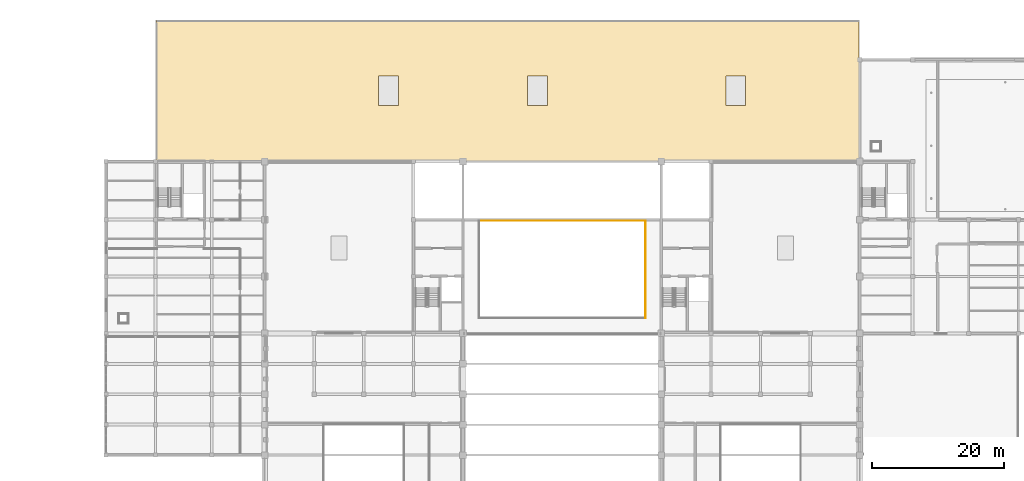
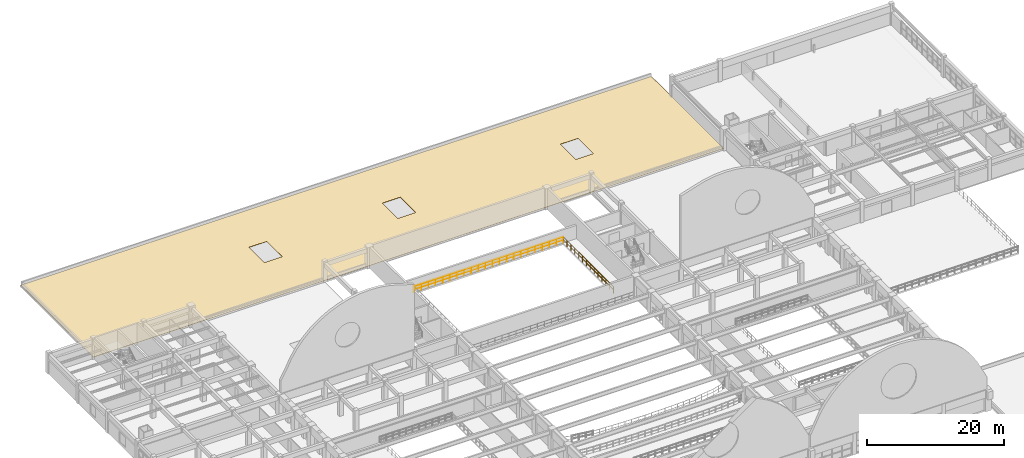
# One storey, part 71 of 74: 2 railings, 1 covering.
"""IFC4 building model written with IfcOpenShell, lengths in metres."""

from ifc_helpers import new_model, si_unit, direction, frame, origin, origin_2d, place, context, subcontext, project, spatial, polyline, circle, outline, extrude, material, layer, layer_set, type_object, element, save


model = new_model("IFC4")

# Units and contexts
model_context = context("Model", 3, precision=1e-05, world=origin(), true_north=direction((0.0, 1.0)))
body_context = subcontext(model_context, "Body", "Model", "MODEL_VIEW")
ifc_project = project(units=[si_unit("LENGTHUNIT", "METRE"), si_unit("AREAUNIT", "SQUARE_METRE"), si_unit("VOLUMEUNIT", "CUBIC_METRE"), si_unit("PLANEANGLEUNIT", "RADIAN"), si_unit("MASSUNIT", "GRAM", prefix="KILO")], contexts=[model_context])

# Site, building, storey
site_placement = place(None, origin())
site = spatial("IfcSite", under=ifc_project, at=site_placement, CompositionType="ELEMENT")
building_placement = place(site_placement, origin())
building = spatial("IfcBuilding", under=site, at=building_placement, Name="Muzn Square Opera House", CompositionType="ELEMENT")
storey_placement = place(building_placement, frame((0.0, 0.0, 14.199951171875)))
storey = spatial("IfcBuildingStorey", under=building, at=storey_placement, Name="L03", CompositionType="ELEMENT", Elevation=14.199951171875)

# Railings
ifc_material_1 = material(Name="Architectural bronze mashrabiya", Category="metal")
railing_type = type_object("IfcRailingType", Name="Bronze Protective Balustrade 1120mm", PredefinedType="BALUSTRADE", material=ifc_material_1)
railing_1_placement = place(storey_placement, frame((100.580078125, 74.919921875, 0.0)))
element("IfcRailing", 1, at=railing_1_placement, inside=storey, type_object=railing_type, Name="Void Edge Balustrade L03-0056", PredefinedType="BALUSTRADE", context=body_context, shape_type="SweptSolid", body=[
    extrude(circle(Radius=0.02392578125, at=origin_2d()), frame((0.0, 0.0, 1.09619140625), z_axis=(0.0, 1.0, 0.0), x_axis=(-1.0, 0.0, 0.0)), (0.0, 0.0, 1.0), 14.7099609375),
    extrude(circle(Radius=0.02392578125, at=origin_2d()), frame((0.0, 0.0, 0.56005859375), z_axis=(0.0, 1.0, 0.0), x_axis=(-1.0, 0.0, 0.0)), (0.0, 0.0, 1.0), 14.7099609375),
    extrude(circle(Radius=0.02099609375, at=origin_2d()), origin(), (0.0, 0.0, 1.0), 1.072021484375),
    extrude(circle(Radius=0.02099609375, at=origin_2d()), frame((0.0, 1.131591796875, 0.0)), (0.0, 0.0, 1.0), 1.072021484375),
    extrude(circle(Radius=0.02099609375, at=origin_2d()), frame((0.0, 2.26318359375, 0.0)), (0.0, 0.0, 1.0), 1.072021484375),
    extrude(circle(Radius=0.02099609375, at=origin_2d()), frame((0.0, 3.39453125, 0.0)), (0.0, 0.0, 1.0), 1.072021484375),
    extrude(circle(Radius=0.02099609375, at=origin_2d()), frame((0.0, 4.526123046875, 0.0)), (0.0, 0.0, 1.0), 1.072021484375),
    extrude(circle(Radius=0.02099609375, at=origin_2d()), frame((0.0, 5.65771484375, 0.0)), (0.0, 0.0, 1.0), 1.072021484375),
    extrude(circle(Radius=0.02099609375, at=origin_2d()), frame((0.0, 6.789306640625, 0.0)), (0.0, 0.0, 1.0), 1.072021484375),
    extrude(circle(Radius=0.02099609375, at=origin_2d()), frame((0.0, 7.920654296875, 0.0)), (0.0, 0.0, 1.0), 1.072021484375),
    extrude(circle(Radius=0.02099609375, at=origin_2d()), frame((0.0, 9.05224609375, 0.0)), (0.0, 0.0, 1.0), 1.072021484375),
    extrude(circle(Radius=0.02099609375, at=origin_2d()), frame((0.0, 10.183837890625, 0.0)), (0.0, 0.0, 1.0), 1.072021484375),
    extrude(circle(Radius=0.02099609375, at=origin_2d()), frame((0.0, 11.3154296875, 0.0)), (0.0, 0.0, 1.0), 1.072021484375),
    extrude(circle(Radius=0.02099609375, at=origin_2d()), frame((0.0, 12.44677734375, 0.0)), (0.0, 0.0, 1.0), 1.072021484375),
    extrude(circle(Radius=0.02099609375, at=origin_2d()), frame((0.0, 13.578369140625, 0.0)), (0.0, 0.0, 1.0), 1.072021484375),
    extrude(circle(Radius=0.02099609375, at=origin_2d()), frame((0.0, 14.7099609375, 0.0)), (0.0, 0.0, 1.0), 1.072021484375),
])
railing_2_placement = place(storey_placement, frame((100.580078125, 89.6298828125, 0.0)))
element("IfcRailing", 2, at=railing_2_placement, inside=storey, type_object=railing_type, Name="Void Edge Balustrade L03-0057", PredefinedType="BALUSTRADE", context=body_context, shape_type="SweptSolid", body=[
    extrude(circle(Radius=0.02392578125, at=origin_2d()), frame((0.0, 0.0, 1.09619140625), z_axis=(-1.0, 0.0, 0.0), x_axis=(0.0, -1.0, 0.0)), (0.0, 0.0, 1.0), 25.16015625),
    extrude(circle(Radius=0.02392578125, at=origin_2d()), frame((0.0, 0.0, 0.56005859375), z_axis=(-1.0, 0.0, 0.0), x_axis=(0.0, -1.0, 0.0)), (0.0, 0.0, 1.0), 25.16015625),
    extrude(circle(Radius=0.02099609375, at=origin_2d()), origin(), (0.0, 0.0, 1.0), 1.072021484375),
    extrude(circle(Radius=0.02099609375, at=origin_2d()), frame((-1.197998046875, 0.0, 0.0)), (0.0, 0.0, 1.0), 1.072021484375),
    extrude(circle(Radius=0.02099609375, at=origin_2d()), frame((-2.396240234375, 0.0, 0.0)), (0.0, 0.0, 1.0), 1.072021484375),
    extrude(circle(Radius=0.02099609375, at=origin_2d()), frame((-3.59423828125, 0.0, 0.0)), (0.0, 0.0, 1.0), 1.072021484375),
    extrude(circle(Radius=0.02099609375, at=origin_2d()), frame((-4.79248046875, 0.0, 0.0)), (0.0, 0.0, 1.0), 1.072021484375),
    extrude(circle(Radius=0.02099609375, at=origin_2d()), frame((-5.990478515625, 0.0, 0.0)), (0.0, 0.0, 1.0), 1.072021484375),
    extrude(circle(Radius=0.02099609375, at=origin_2d()), frame((-7.188720703125, 0.0, 0.0)), (0.0, 0.0, 1.0), 1.072021484375),
    extrude(circle(Radius=0.02099609375, at=origin_2d()), frame((-8.38671875, 0.0, 0.0)), (0.0, 0.0, 1.0), 1.072021484375),
    extrude(circle(Radius=0.02099609375, at=origin_2d()), frame((-9.584716796875, 0.0, 0.0)), (0.0, 0.0, 1.0), 1.072021484375),
    extrude(circle(Radius=0.02099609375, at=origin_2d()), frame((-10.782958984375, 0.0, 0.0)), (0.0, 0.0, 1.0), 1.072021484375),
    extrude(circle(Radius=0.02099609375, at=origin_2d()), frame((-11.98095703125, 0.0, 0.0)), (0.0, 0.0, 1.0), 1.072021484375),
    extrude(circle(Radius=0.02099609375, at=origin_2d()), frame((-13.17919921875, 0.0, 0.0)), (0.0, 0.0, 1.0), 1.072021484375),
    extrude(circle(Radius=0.02099609375, at=origin_2d()), frame((-14.377197265625, 0.0, 0.0)), (0.0, 0.0, 1.0), 1.072021484375),
    extrude(circle(Radius=0.02099609375, at=origin_2d()), frame((-15.575439453125, 0.0, 0.0)), (0.0, 0.0, 1.0), 1.072021484375),
    extrude(circle(Radius=0.02099609375, at=origin_2d()), frame((-16.7734375, 0.0, 0.0)), (0.0, 0.0, 1.0), 1.072021484375),
    extrude(circle(Radius=0.02099609375, at=origin_2d()), frame((-17.971435546875, 0.0, 0.0)), (0.0, 0.0, 1.0), 1.072021484375),
    extrude(circle(Radius=0.02099609375, at=origin_2d()), frame((-19.169677734375, 0.0, 0.0)), (0.0, 0.0, 1.0), 1.072021484375),
    extrude(circle(Radius=0.02099609375, at=origin_2d()), frame((-20.36767578125, 0.0, 0.0)), (0.0, 0.0, 1.0), 1.072021484375),
    extrude(circle(Radius=0.02099609375, at=origin_2d()), frame((-21.56591796875, 0.0, 0.0)), (0.0, 0.0, 1.0), 1.072021484375),
    extrude(circle(Radius=0.02099609375, at=origin_2d()), frame((-22.763916015625, 0.0, 0.0)), (0.0, 0.0, 1.0), 1.072021484375),
    extrude(circle(Radius=0.02099609375, at=origin_2d()), frame((-23.962158203125, 0.0, 0.0)), (0.0, 0.0, 1.0), 1.072021484375),
    extrude(circle(Radius=0.02099609375, at=origin_2d()), frame((-25.16015625, 0.0, 0.0)), (0.0, 0.0, 1.0), 1.072021484375),
])

# Covering
ifc_material_2 = material(Name="Insulated roof membrane")
ifc_layer = layer(ifc_material_2, 0.050048828125, Name="Insulated roof membrane")
ifc_layer_set = layer_set([ifc_layer], Name="Insulated roof membrane")
covering_type = type_object("IfcCoveringType", Name="Insulated Flat Roof Membrane", PredefinedType="ROOFING", material=ifc_layer_set)
covering_placement = place(storey_placement, origin())
element("IfcCovering", 3, at=covering_placement, inside=storey, type_object=covering_type, Name="Flat Roof Membrane ROOF-L03-REAR", PredefinedType="ROOFING", context=body_context, shape_type="SweptSolid", body=[
    extrude(outline(polyline([(26.60009765625, 98.699951171875), (132.89990234375, 98.699951171875), (132.89990234375, 119.89990234375), (26.60009765625, 119.89990234375), (26.60009765625, 98.699951171875)]), holes=[polyline([(60.25, 107.050048828125), (63.25, 107.050048828125), (63.25, 111.550048828125), (60.25, 111.550048828125), (60.25, 107.050048828125)]), polyline([(82.75, 107.050048828125), (85.75, 107.050048828125), (85.75, 111.550048828125), (82.75, 111.550048828125), (82.75, 107.050048828125)]), polyline([(112.75, 107.050048828125), (115.75, 107.050048828125), (115.75, 111.550048828125), (112.75, 111.550048828125), (112.75, 107.050048828125)])]), origin(), (0.0, 0.0, 1.0), 0.050048828125),
])

save(model, "model.ifc")
